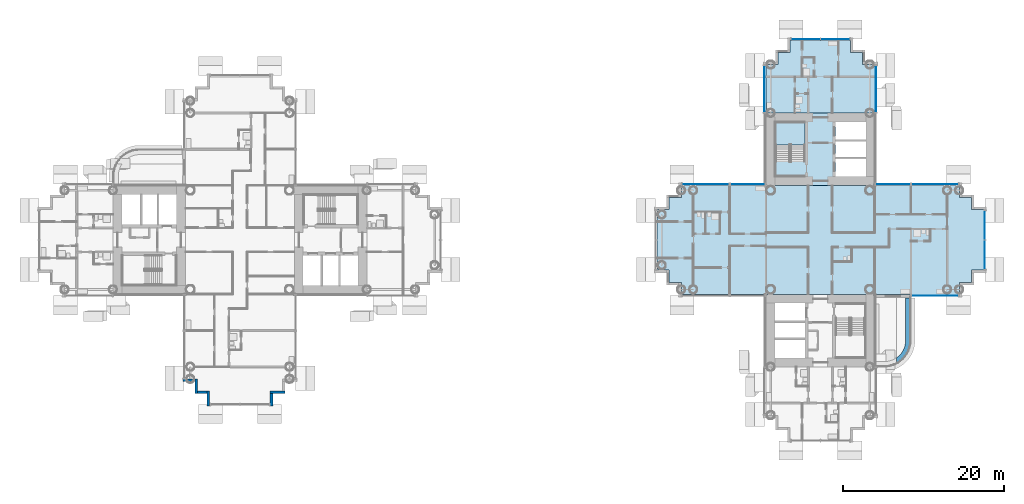
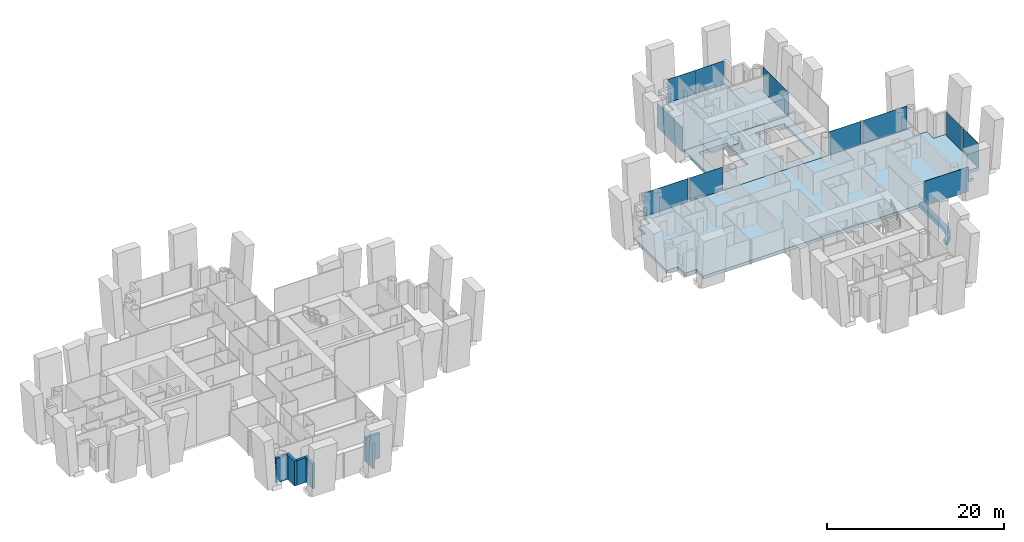
# One storey, part 9 of 25: 11 plates, 6 walls, 5 slabs, 10 elements without a shape of their own.
"""IFC4 building model written with IfcOpenShell, lengths in metres."""

from ifc_helpers import new_model, si_unit, direction, frame, frame_2d, origin, origin_2d, place, context, subcontext, project, spatial, polyline, rectangle, outline, extrude, material, layer, layer_set, type_object, element, aggregate, save


model = new_model("IFC4")

# Units and contexts
model_context = context("Model", 3, precision=1e-05, world=origin(), true_north=direction((0.0, 1.0)))
body_context = subcontext(model_context, "Body", "Model", "MODEL_VIEW")
ifc_project = project(units=[si_unit("LENGTHUNIT", "METRE"), si_unit("AREAUNIT", "SQUARE_METRE"), si_unit("VOLUMEUNIT", "CUBIC_METRE"), si_unit("PLANEANGLEUNIT", "RADIAN"), si_unit("MASSUNIT", "GRAM", prefix="KILO")], contexts=[model_context])

# Site, building, storey
site_placement = place(None, origin())
site = spatial("IfcSite", under=ifc_project, at=site_placement, CompositionType="ELEMENT")
building_placement = place(site_placement, origin())
building = spatial("IfcBuilding", under=site, at=building_placement, Name="Ipe Terrace Towers", CompositionType="ELEMENT")
storey_placement = place(building_placement, frame((0.0, 0.0, 58.5)))
storey = spatial("IfcBuildingStorey", under=building, at=storey_placement, Name="L15", CompositionType="ELEMENT", Elevation=58.5)

# Slab
ifc_material_1 = material(Name="Concrete C30/37", Category="concrete")
ifc_layer_1 = layer(ifc_material_1, 0.39990234375)
ifc_layer_set_1 = layer_set([ifc_layer_1], Name="CORE FLOOR SLAB 400 C30-37")
slab_type_1 = type_object("IfcSlabType", Name="CORE FLOOR SLAB 400 C30-37", PredefinedType="FLOOR", material=ifc_layer_set_1)
slab_1_placement = place(storey_placement, frame((0.0, 0.0, -0.39990234375)))
element("IfcSlab", 1, at=slab_1_placement, inside=storey, type_object=slab_type_1, Name="Core floor T2-C1", PredefinedType="FLOOR", context=body_context, shape_type="SweptSolid", body=[
    extrude(outline(polyline([(29.25, 6.75), (29.25, 15.75), (42.75, 15.75), (42.75, 6.75), (29.25, 6.75)]), holes=[polyline([(41.64990234375, 7.85009765625), (41.64990234375, 14.64990234375), (37.89990234375, 14.64990234375), (37.89990234375, 7.85009765625), (41.64990234375, 7.85009765625)]), polyline([(30.449951171875, 9.800048828125), (34.10009765625, 9.800048828125), (34.10009765625, 14.550048828125), (30.449951171875, 14.550048828125), (30.449951171875, 9.800048828125)])]), origin(), (0.0, 0.0, 1.0), 0.39990234375),
])

# Stair, slab
ifc_material_2 = material(Name="Concrete C30/37", Category="concrete")
stair_type = type_object("IfcStairType", Name="Protected exit stair", PredefinedType="HALF_TURN_STAIR", material=ifc_material_2)
stair_placement = place(storey_placement, origin())
stair = element("IfcStair", 2, at=stair_placement, inside=storey, type_object=stair_type, Name="L15 Exit stair T2-C1", PredefinedType="HALF_TURN_STAIR")
ifc_material_3 = material(Name="Concrete C30/37", Category="concrete")
ifc_layer_2 = layer(ifc_material_3, 0.199951171875)
ifc_layer_set_2 = layer_set([ifc_layer_2], Name="Exit stair landing 200")
slab_type_2 = type_object("IfcSlabType", Name="Exit stair landing 200", PredefinedType="LANDING", material=ifc_layer_set_2)
slab_2_placement = place(storey_placement, frame((0.0, 0.0, 1.5)))
slab_2 = element("IfcSlab", 3, at=slab_2_placement, type_object=slab_type_2, Name="T2-ST1 landing 1", PredefinedType="LANDING", context=body_context, shape_type="SweptSolid", body=[
    extrude(outline(polyline([(34.10009765625, 11.780029296875), (34.10009765625, 14.550048828125), (30.449951171875, 14.550048828125), (30.449951171875, 11.780029296875), (34.10009765625, 11.780029296875)])), origin(), (0.0, 0.0, 1.0), 0.199951171875),
])
aggregate(stair, [slab_2])

# Slabs
ifc_material_4 = material(Name="Concrete C40/50", Category="concrete")
ifc_layer_3 = layer(ifc_material_4, 0.39990234375)
ifc_layer_set_3 = layer_set([ifc_layer_3], Name="FLAT PLATE SLAB 400 C40-50")
slab_type_3 = type_object("IfcSlabType", Name="FLAT PLATE SLAB 400 C40-50", PredefinedType="FLOOR", material=ifc_layer_set_3)
slab_3_placement = place(storey_placement, frame((0.0, 0.0, -0.39990234375)))
element("IfcSlab", 4, at=slab_3_placement, inside=storey, type_object=slab_type_3, Name="Slab T2-FS-Z11", PredefinedType="FLOOR", context=body_context, shape_type="SweptSolid", body=[
    extrude(outline(polyline([(53.25, 5.25), (54.75, 5.25), (54.75, 3.75), (56.25, 3.75), (56.25, -3.75), (54.75, -3.75), (54.75, -5.25), (53.25, -5.25), (53.25, -6.75), (42.75, -6.75), (29.25, -6.75), (18.75, -6.75), (18.75, -5.25), (17.25, -5.25), (17.25, -3.75), (15.75, -3.75), (15.75, 3.75), (17.25, 3.75), (17.25, 5.25), (18.75, 5.25), (18.75, 6.75), (29.25, 6.75), (42.75, 6.75), (53.25, 6.75), (53.25, 5.25)])), origin(), (0.0, 0.0, 1.0), 0.39990234375),
])
slab_4_placement = place(storey_placement, frame((0.0, 0.0, -0.39990234375)))
element("IfcSlab", 5, at=slab_4_placement, inside=storey, type_object=slab_type_3, Name="Slab T2-FS-Z13", PredefinedType="FLOOR", context=body_context, shape_type="SweptSolid", body=[
    extrude(outline(polyline([(30.75, 21.75), (30.75, 23.25), (32.25, 23.25), (32.25, 24.75), (39.75, 24.75), (39.75, 23.25), (41.25, 23.25), (41.25, 21.75), (42.75, 21.75), (42.75, 15.75), (29.25, 15.75), (29.25, 21.75), (30.75, 21.75)])), origin(), (0.0, 0.0, 1.0), 0.39990234375),
])
ifc_material_5 = material(Name="Concrete C30/37", Category="concrete")
ifc_layer_4 = layer(ifc_material_5, 0.60009765625)
ifc_layer_set_4 = layer_set([ifc_layer_4], Name="PLANTER TROUGH 550 x 600")
slab_type_4 = type_object("IfcSlabType", Name="PLANTER TROUGH 550 x 600", PredefinedType="USERDEFINED", material=ifc_layer_set_4)
slab_5_placement = place(storey_placement, frame((0.0, 0.0, -0.02001953125)))
element("IfcSlab", 6, at=slab_5_placement, inside=storey, type_object=slab_type_4, Name="planter", ObjectType="PLANTER", PredefinedType="USERDEFINED", context=body_context, shape_type="SweptSolid", body=[
    extrude(outline(polyline([(45.555908203125, -14.54296875), (45.449951171875, -14.614013671875), (45.449951171875, -15.259033203125), (45.529052734375, -15.219970703125), (45.56005859375, -15.201904296875), (45.876953125, -14.990966796875), (45.905029296875, -14.968994140625), (46.19189453125, -14.717041015625), (46.217041015625, -14.69189453125), (46.468994140625, -14.405029296875), (46.490966796875, -14.376953125), (46.701904296875, -14.06005859375), (46.719970703125, -14.029052734375), (46.888916015625, -13.68701171875), (46.903076171875, -13.654052734375), (47.02490234375, -13.29296875), (47.034912109375, -13.258056640625), (47.10888671875, -12.884033203125), (47.114013671875, -12.847900390625), (47.138916015625, -12.455078125), (47.139892578125, -12.43701171875), (47.139892578125, -7.199951171875), (46.590087890625, -7.199951171875), (46.590087890625, -12.427978515625), (46.56591796875, -12.7939453125), (46.4990234375, -13.133056640625), (46.387939453125, -13.4599609375), (46.235107421875, -13.76904296875), (46.04296875, -14.055908203125), (45.81591796875, -14.31591796875), (45.555908203125, -14.54296875)])), origin(), (0.0, 0.0, 1.0), 0.60009765625),
])

# Curtain wall, plate
ifc_material_6 = material(Name="Aluminium alloy 6063-T6", Category="aluminium")
ifc_layer_5 = layer(ifc_material_6, 0.320068359375)
ifc_layer_set_5 = layer_set([ifc_layer_5], Name="TOWER UNITISED CURTAIN WALL")
curtain_wall_type = type_object("IfcCurtainWallType", Name="TOWER UNITISED CURTAIN WALL", PredefinedType="NOTDEFINED", material=ifc_layer_set_5)
curtain_wall_1_placement = place(storey_placement, origin())
curtain_wall_1 = element("IfcCurtainWall", 7, at=curtain_wall_1_placement, inside=storey, type_object=curtain_wall_type, Name="T2-CW-L15-07a curtain wall", PredefinedType="NOTDEFINED")
ifc_material_7 = material(Name="Glass, clear laminated", Category="glass")
ifc_layer_6 = layer(ifc_material_7, 0.031982421875)
ifc_layer_set_6 = layer_set([ifc_layer_6], Name="TOWER UNITISED GLASS PANEL 32")
plate_type = type_object("IfcPlateType", Name="TOWER UNITISED GLASS PANEL 32", PredefinedType="CURTAIN_PANEL", material=ifc_layer_set_6)
plate_1_placement = place(storey_placement, frame((50.25, -6.909912109375, -0.300048828125), z_axis=(0.0, 0.0, 1.0), x_axis=(1.0, 0.0, 0.0)))
plate_1 = element("IfcPlate", 8, at=plate_1_placement, type_object=plate_type, Name="T2-CW-L15-07a panel 1", PredefinedType="CURTAIN_PANEL", context=body_context, shape_type="SweptSolid", body=[
    extrude(rectangle(XDim=5.760009765625, YDim=0.031982421875, at=origin_2d()), origin(), (0.0, 0.0, 1.0), 3.39990234375),
])
aggregate(curtain_wall_1, [plate_1])

# Curtain wall, plates
curtain_wall_2_placement = place(storey_placement, origin())
curtain_wall_2 = element("IfcCurtainWall", 9, at=curtain_wall_2_placement, inside=storey, type_object=curtain_wall_type, Name="T2-CW-L15-12a curtain wall", PredefinedType="NOTDEFINED")
plate_2_placement = place(storey_placement, frame((56.409912109375, -1.831298828125, -0.300048828125), z_axis=(0.0, 0.0, 1.0), x_axis=(0.0, 1.0, 0.0)))
plate_2 = element("IfcPlate", 10, at=plate_2_placement, type_object=plate_type, Name="T2-CW-L15-12a panel 1", PredefinedType="CURTAIN_PANEL", context=body_context, shape_type="SweptSolid", body=[
    extrude(rectangle(XDim=3.597412109375, YDim=0.031982421875, at=origin_2d()), origin(), (0.0, 0.0, 1.0), 3.39990234375),
])
plate_3_placement = place(storey_placement, frame((56.409912109375, 1.831298828125, -0.300048828125), z_axis=(0.0, 0.0, 1.0), x_axis=(0.0, 1.0, 0.0)))
plate_3 = element("IfcPlate", 11, at=plate_3_placement, type_object=plate_type, Name="T2-CW-L15-12a panel 2", PredefinedType="CURTAIN_PANEL", context=body_context, shape_type="SweptSolid", body=[
    extrude(rectangle(XDim=3.597412109375, YDim=0.031982421875, at=origin_2d()), origin(), (0.0, 0.0, 1.0), 3.39990234375),
])
aggregate(curtain_wall_2, [plate_2, plate_3])

# Curtain wall, plate
curtain_wall_3_placement = place(storey_placement, origin())
curtain_wall_3 = element("IfcCurtainWall", 12, at=curtain_wall_3_placement, inside=storey, type_object=curtain_wall_type, Name="T2-CW-L15-17a curtain wall", PredefinedType="NOTDEFINED")
plate_4_placement = place(storey_placement, frame((50.25, 6.909912109375, -0.300048828125), z_axis=(0.0, 0.0, 1.0), x_axis=(-1.0, 0.0, 0.0)))
plate_4 = element("IfcPlate", 13, at=plate_4_placement, type_object=plate_type, Name="T2-CW-L15-17a panel 1", PredefinedType="CURTAIN_PANEL", context=body_context, shape_type="SweptSolid", body=[
    extrude(rectangle(XDim=5.760009765625, YDim=0.031982421875, at=origin_2d()), origin(), (0.0, 0.0, 1.0), 3.39990234375),
])
aggregate(curtain_wall_3, [plate_4])

curtain_wall_4_placement = place(storey_placement, origin())
curtain_wall_4 = element("IfcCurtainWall", 14, at=curtain_wall_4_placement, inside=storey, type_object=curtain_wall_type, Name="T2-CW-L15-18a curtain wall", PredefinedType="NOTDEFINED")
plate_5_placement = place(storey_placement, frame((45.0, 6.909912109375, -0.300048828125), z_axis=(0.0, 0.0, 1.0), x_axis=(-1.0, 0.0, 0.0)))
plate_5 = element("IfcPlate", 15, at=plate_5_placement, type_object=plate_type, Name="T2-CW-L15-18a panel 1", PredefinedType="CURTAIN_PANEL", context=body_context, shape_type="SweptSolid", body=[
    extrude(rectangle(XDim=4.260009765625, YDim=0.031982421875, at=origin_2d()), origin(), (0.0, 0.0, 1.0), 3.39990234375),
])
aggregate(curtain_wall_4, [plate_5])

curtain_wall_5_placement = place(storey_placement, origin())
curtain_wall_5 = element("IfcCurtainWall", 16, at=curtain_wall_5_placement, inside=storey, type_object=curtain_wall_type, Name="T2-CW-L15-20b curtain wall", PredefinedType="NOTDEFINED")
plate_6_placement = place(storey_placement, frame((42.909912109375, 18.75048828125, -0.300048828125), z_axis=(0.0, 0.0, 1.0), x_axis=(0.0, 1.0, 0.0)))
plate_6 = element("IfcPlate", 17, at=plate_6_placement, type_object=plate_type, Name="T2-CW-L15-20b panel 1", PredefinedType="CURTAIN_PANEL", context=body_context, shape_type="SweptSolid", body=[
    extrude(rectangle(XDim=5.759033203125, YDim=0.031982421875, at=origin_2d()), origin(), (0.0, 0.0, 1.0), 3.39990234375),
])
aggregate(curtain_wall_5, [plate_6])

# Curtain wall, plates
curtain_wall_6_placement = place(storey_placement, origin())
curtain_wall_6 = element("IfcCurtainWall", 18, at=curtain_wall_6_placement, inside=storey, type_object=curtain_wall_type, Name="T2-CW-L15-25a curtain wall", PredefinedType="NOTDEFINED")
plate_7_placement = place(storey_placement, frame((37.831298828125, 24.909912109375, -0.300048828125), z_axis=(0.0, 0.0, 1.0), x_axis=(-1.0, 0.0, 0.0)))
plate_7 = element("IfcPlate", 19, at=plate_7_placement, type_object=plate_type, Name="T2-CW-L15-25a panel 1", PredefinedType="CURTAIN_PANEL", context=body_context, shape_type="SweptSolid", body=[
    extrude(rectangle(XDim=3.597412109375, YDim=0.031982421875, at=origin_2d()), origin(), (0.0, 0.0, 1.0), 3.39990234375),
])
plate_8_placement = place(storey_placement, frame((34.168701171875, 24.909912109375, -0.300048828125), z_axis=(0.0, 0.0, 1.0), x_axis=(-1.0, 0.0, 0.0)))
plate_8 = element("IfcPlate", 20, at=plate_8_placement, type_object=plate_type, Name="T2-CW-L15-25a panel 2", PredefinedType="CURTAIN_PANEL", context=body_context, shape_type="SweptSolid", body=[
    extrude(rectangle(XDim=3.597412109375, YDim=0.031982421875, at=origin_2d()), origin(), (0.0, 0.0, 1.0), 3.39990234375),
])
aggregate(curtain_wall_6, [plate_7, plate_8])

# Curtain wall, plate
curtain_wall_7_placement = place(storey_placement, origin())
curtain_wall_7 = element("IfcCurtainWall", 21, at=curtain_wall_7_placement, inside=storey, type_object=curtain_wall_type, Name="T2-CW-L15-30a curtain wall", PredefinedType="NOTDEFINED")
plate_9_placement = place(storey_placement, frame((29.090087890625, 18.75048828125, -0.300048828125), z_axis=(0.0, 0.0, 1.0), x_axis=(0.0, -1.0, 0.0)))
plate_9 = element("IfcPlate", 22, at=plate_9_placement, type_object=plate_type, Name="T2-CW-L15-30a panel 1", PredefinedType="CURTAIN_PANEL", context=body_context, shape_type="SweptSolid", body=[
    extrude(rectangle(XDim=5.759033203125, YDim=0.031982421875, at=origin_2d()), origin(), (0.0, 0.0, 1.0), 3.39990234375),
])
aggregate(curtain_wall_7, [plate_9])

curtain_wall_8_placement = place(storey_placement, origin())
curtain_wall_8 = element("IfcCurtainWall", 23, at=curtain_wall_8_placement, inside=storey, type_object=curtain_wall_type, Name="T2-CW-L15-32a curtain wall", PredefinedType="NOTDEFINED")
plate_10_placement = place(storey_placement, frame((27.0, 6.909912109375, -0.300048828125), z_axis=(0.0, 0.0, 1.0), x_axis=(-1.0, 0.0, 0.0)))
plate_10 = element("IfcPlate", 24, at=plate_10_placement, type_object=plate_type, Name="T2-CW-L15-32a panel 1", PredefinedType="CURTAIN_PANEL", context=body_context, shape_type="SweptSolid", body=[
    extrude(rectangle(XDim=4.260009765625, YDim=0.031982421875, at=origin_2d()), origin(), (0.0, 0.0, 1.0), 3.39990234375),
])
aggregate(curtain_wall_8, [plate_10])

curtain_wall_9_placement = place(storey_placement, origin())
curtain_wall_9 = element("IfcCurtainWall", 25, at=curtain_wall_9_placement, inside=storey, type_object=curtain_wall_type, Name="T2-CW-L15-33a curtain wall", PredefinedType="NOTDEFINED")
plate_11_placement = place(storey_placement, frame((21.75, 6.909912109375, -0.300048828125), z_axis=(0.0, 0.0, 1.0), x_axis=(-1.0, 0.0, 0.0)))
plate_11 = element("IfcPlate", 26, at=plate_11_placement, type_object=plate_type, Name="T2-CW-L15-33a panel 1", PredefinedType="CURTAIN_PANEL", context=body_context, shape_type="SweptSolid", body=[
    extrude(rectangle(XDim=5.760009765625, YDim=0.031982421875, at=origin_2d()), origin(), (0.0, 0.0, 1.0), 3.39990234375),
])
aggregate(curtain_wall_9, [plate_11])

# Walls
ifc_material_8 = material(Name="Concrete C40/50 with buff precast cladding", Category="concrete")
ifc_layer_7 = layer(ifc_material_8, 0.320068359375)
ifc_layer_set_7 = layer_set([ifc_layer_7], Name="BUFF CLADDING WALL 320")
wall_type = type_object("IfcWallType", Name="BUFF CLADDING WALL 320", PredefinedType="STANDARD", material=ifc_layer_set_7)
wall_1_placement = place(storey_placement, frame((-43.070068359375, -17.409912109375, -0.300048828125), z_axis=(0.0, 0.0, 1.0), x_axis=(1.0, 0.0, 0.0)))
element("IfcWall", 27, at=wall_1_placement, inside=storey, type_object=wall_type, Name="T1-W-L15-08a wall", PredefinedType="STANDARD", context=body_context, shape_type="SweptSolid", body=[
    extrude(rectangle(XDim=1.5, YDim=0.320068359375, at=frame_2d((0.75, 0.0))), origin(), (0.0, 0.0, 1.0), 3.400146484375),
])
wall_2_placement = place(storey_placement, frame((-41.409912109375, -17.25, -0.300048828125), z_axis=(0.0, 0.0, 1.0), x_axis=(0.0, -1.0, 0.0)))
element("IfcWall", 28, at=wall_2_placement, inside=storey, type_object=wall_type, Name="T1-W-L15-09a wall", PredefinedType="STANDARD", context=body_context, shape_type="SweptSolid", body=[
    extrude(rectangle(XDim=1.820068359375, YDim=0.320068359375, at=frame_2d((0.91015625, 0.0))), origin(), (0.0, 0.0, 1.0), 3.400146484375),
])
wall_3_placement = place(storey_placement, frame((-41.25, -18.909912109375, -0.300048828125), z_axis=(0.0, 0.0, 1.0), x_axis=(1.0, 0.0, 0.0)))
element("IfcWall", 29, at=wall_3_placement, inside=storey, type_object=wall_type, Name="T1-W-L15-10a wall", PredefinedType="STANDARD", context=body_context, shape_type="SweptSolid", body=[
    extrude(rectangle(XDim=1.179931640625, YDim=0.320068359375, at=frame_2d((0.58984375, 0.0))), origin(), (0.0, 0.0, 1.0), 3.400146484375),
])
wall_4_placement = place(storey_placement, frame((-39.909912109375, -18.75, -0.300048828125), z_axis=(0.0, 0.0, 1.0), x_axis=(0.0, -1.0, 0.0)))
element("IfcWall", 30, at=wall_4_placement, inside=storey, type_object=wall_type, Name="T1-W-L15-11a wall", PredefinedType="STANDARD", context=body_context, shape_type="SweptSolid", body=[
    extrude(rectangle(XDim=1.820068359375, YDim=0.320068359375, at=frame_2d((0.91015625, 0.0))), origin(), (0.0, 0.0, 1.0), 3.400146484375),
])
wall_5_placement = place(storey_placement, frame((-32.090087890625, -20.570068359375, -0.300048828125), z_axis=(0.0, 0.0, 1.0), x_axis=(0.0, 1.0, 0.0)))
element("IfcWall", 31, at=wall_5_placement, inside=storey, type_object=wall_type, Name="T1-W-L15-13a wall", PredefinedType="STANDARD", context=body_context, shape_type="SweptSolid", body=[
    extrude(rectangle(XDim=1.5, YDim=0.320068359375, at=frame_2d((0.75, 0.0))), origin(), (0.0, 0.0, 1.0), 3.400146484375),
])
wall_6_placement = place(storey_placement, frame((-32.25, -18.909912109375, -0.300048828125), z_axis=(0.0, 0.0, 1.0), x_axis=(1.0, 0.0, 0.0)))
element("IfcWall", 32, at=wall_6_placement, inside=storey, type_object=wall_type, Name="T1-W-L15-14a wall", PredefinedType="STANDARD", context=body_context, shape_type="SweptSolid", body=[
    extrude(rectangle(XDim=1.820068359375, YDim=0.320068359375, at=frame_2d((0.91015625, 0.0))), origin(), (0.0, 0.0, 1.0), 3.400146484375),
])

save(model, "model.ifc")
